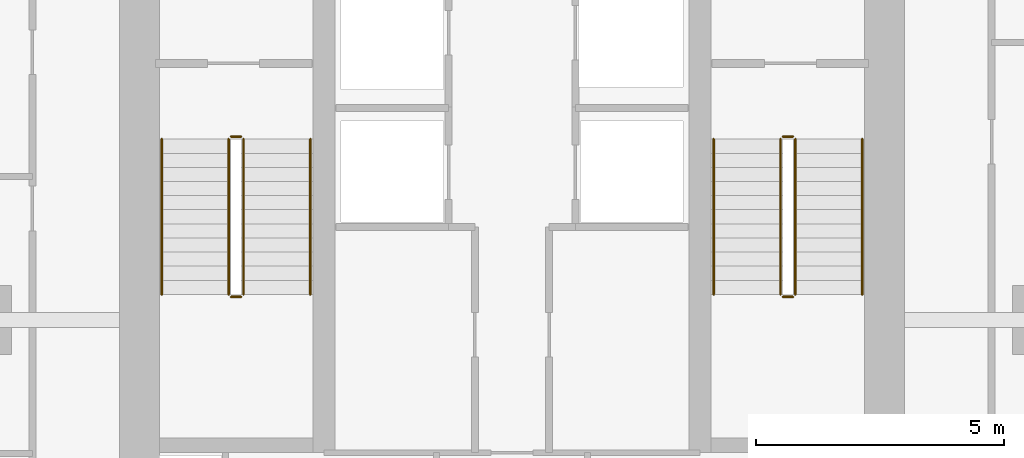
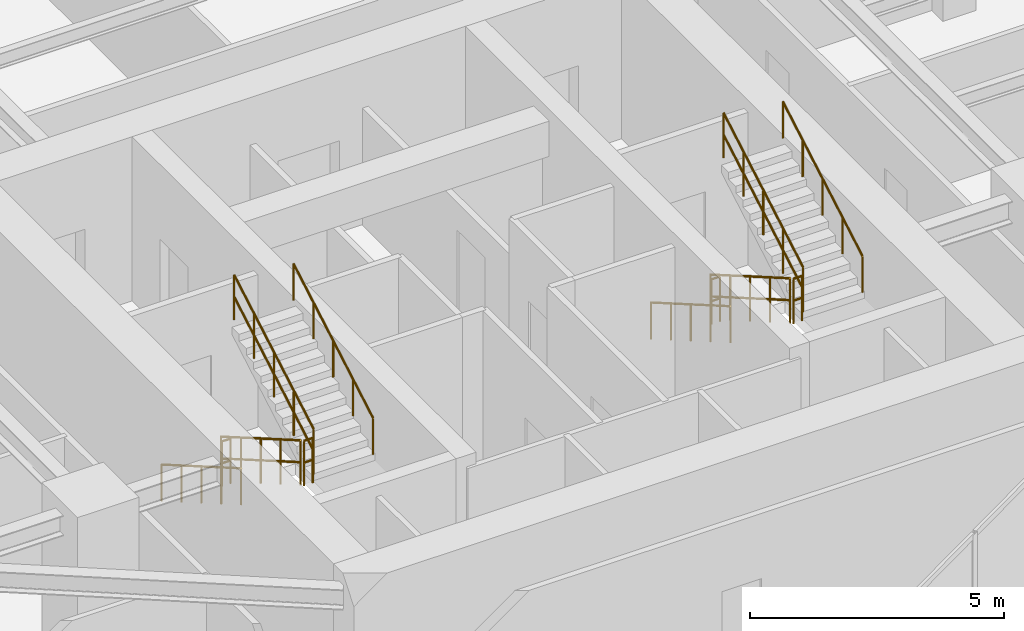
# One storey, part 19 of 20: 12 railings.
"""IFC4 building model written with IfcOpenShell, lengths in metres."""

import ifcopenshell
import ifcopenshell.guid

model = None  # the IFC model being written
_history = None  # IfcOwnerHistory: only IFC2X3 demands one
_inside = {}  # id of a spatial element -> (the spatial element, [elements in it])
_under = {}  # id of a project, library or spatial element -> (it, [spatial elements below it])
_declared = {}  # id of a project -> (the project, [libraries it declares])
_typed = {}  # id of a type object -> (the type object, [elements of that type])
_made_of = {}  # id of a material, layer set ... -> (it, [elements and type objects made of it])


def new_model(schema):
    """Start an empty IFC model of exactly this schema.

    Asked for "IFC4X3", IfcOpenShell would pick the latest addendum, in which some entities
    have other attributes; the version numbers below select the first issue.
    IFC2X3 requires an IfcOwnerHistory on every rooted entity: one is made here for all.
    """
    global model, _history
    if schema == "IFC4X3":
        model = ifcopenshell.file(schema_version=(4, 3, 0, 0))
    else:
        model = ifcopenshell.file(schema=schema)
    _inside.clear()
    _under.clear()
    _declared.clear()
    _typed.clear()
    _made_of.clear()
    _history = None
    if model.schema == "IFC2X3":
        org = make("IfcOrganization", Name="unknown")
        user = make(
            "IfcPersonAndOrganization",
            ThePerson=make("IfcPerson", FamilyName="unknown"),
            TheOrganization=org,
        )
        app = make(
            "IfcApplication",
            ApplicationDeveloper=org,
            Version="unknown",
            ApplicationFullName="unknown",
            ApplicationIdentifier="unknown",
        )
        _history = make(
            "IfcOwnerHistory",
            OwningUser=user,
            OwningApplication=app,
            ChangeAction="ADDED",
            CreationDate=0,
        )
    return model


def make(cls, **values):
    """One entity of the class cls with the attributes given. An attribute that is None is left unset."""
    return model.create_entity(
        cls, **{name: value for name, value in values.items() if value is not None}
    )


def rooted(cls, **values):
    """An entity with a GlobalId (a new one), such as an element, a storey or a relation."""
    return make(cls, GlobalId=ifcopenshell.guid.new(), OwnerHistory=_history, **values)


def si_unit(unit_type, name, prefix=None):
    """IfcSIUnit, for example si_unit("LENGTHUNIT", "METRE", prefix="MILLI")."""
    return make("IfcSIUnit", UnitType=unit_type, Prefix=prefix, Name=name)


def assignment(units):
    """IfcUnitAssignment: the units of a project."""
    return None if units is None else make("IfcUnitAssignment", Units=units)


def point(xyz):
    """IfcCartesianPoint."""
    return None if xyz is None else make("IfcCartesianPoint", Coordinates=xyz)


def direction(xyz):
    """IfcDirection."""
    return None if xyz is None else make("IfcDirection", DirectionRatios=xyz)


def frame(location, z_axis=None, x_axis=None):
    """IfcAxis2Placement3D, a coordinate frame: its origin and axes. An axis left out is left unset."""
    return make(
        "IfcAxis2Placement3D",
        Location=point(location),
        Axis=direction(z_axis),
        RefDirection=direction(x_axis),
    )


def frame_2d(location, x_axis=None):
    """IfcAxis2Placement2D, a coordinate frame in the plane: its origin and x axis."""
    return make(
        "IfcAxis2Placement2D", Location=point(location), RefDirection=direction(x_axis)
    )


def origin():
    """The frame at (0, 0, 0) with its axes left unset."""
    return frame((0.0, 0.0, 0.0))


def origin_2d():
    """The frame at (0, 0) in the plane with its x axis left unset."""
    return frame_2d((0.0, 0.0))


def place(relative_to, where):
    """IfcLocalPlacement: puts the frame where relative to a parent placement (None: the world)."""
    return make(
        "IfcLocalPlacement", PlacementRelTo=relative_to, RelativePlacement=where
    )


def context(
    kind, dimensions, precision=None, world=None, true_north=None, identifier=None
):
    """IfcGeometricRepresentationContext, for example the 3D "Model" context."""
    return make(
        "IfcGeometricRepresentationContext",
        ContextIdentifier=identifier,
        ContextType=kind,
        CoordinateSpaceDimension=dimensions,
        Precision=precision,
        WorldCoordinateSystem=world,
        TrueNorth=true_north,
    )


def subcontext(parent, identifier, kind, view, scale=None):
    """IfcGeometricRepresentationSubContext, for example "Body" below "Model"."""
    return make(
        "IfcGeometricRepresentationSubContext",
        ContextIdentifier=identifier,
        ContextType=kind,
        ParentContext=parent,
        TargetScale=scale,
        TargetView=view,
    )


def project(units=None, contexts=None):
    """IfcProject with its units and contexts."""
    return rooted(
        "IfcProject",
        Name="project",
        RepresentationContexts=contexts,
        UnitsInContext=assignment(units),
    )


def spatial(cls, under=None, at=None, **own):
    """A site, building, storey or space (cls), placed at a placement, below another one or the project."""
    s = rooted(cls, ObjectPlacement=at, **own)
    if under is not None:
        _under.setdefault(under.id(), (under, []))[1].append(s)
    return s


def profile(cls, at=None, kind="AREA", **sizes):
    """A parametric profile (cls). Its sizes go by their IFC names, for example OverallWidth=200.0."""
    return make(cls, ProfileType=kind, Position=at, **sizes)


def circle(**sizes):
    """IfcCircleProfileDef."""
    return profile("IfcCircleProfileDef", **sizes)


def extrude(swept, where, along, depth):
    """IfcExtrudedAreaSolid: the profile swept, set in the frame where, extruded along a direction by depth."""
    return make(
        "IfcExtrudedAreaSolid",
        SweptArea=swept,
        Position=where,
        ExtrudedDirection=direction(along),
        Depth=depth,
    )


def shape(context_of_items, identifier, shape_type, items):
    """IfcShapeRepresentation: the items that make up one representation, for example the "Body"."""
    return make(
        "IfcShapeRepresentation",
        ContextOfItems=context_of_items,
        RepresentationIdentifier=identifier,
        RepresentationType=shape_type,
        Items=items,
    )


def material(Name=None, Category=None):
    """IfcMaterial."""
    return make("IfcMaterial", Name=Name, Category=Category)


def layer(
    of_material, thickness, ventilated=None, Name=None, Category=None, Priority=None
):
    """IfcMaterialLayer: one layer of a wall or slab, of a material (None: an air gap)."""
    return make(
        "IfcMaterialLayer",
        Material=of_material,
        LayerThickness=thickness,
        IsVentilated=ventilated,
        Name=Name,
        Category=Category,
        Priority=Priority,
    )


def layer_set(layers, Name=None):
    """IfcMaterialLayerSet."""
    return make("IfcMaterialLayerSet", MaterialLayers=layers, LayerSetName=Name)


def made_of(thing, what):
    """Note that an element or type object is made of a material, layer set ...; save() writes the relation."""
    if what is not None:
        _made_of.setdefault(what.id(), (what, []))[1].append(thing)
    return thing


def type_object(cls, material=None, **own):
    """A type object (cls), such as IfcWallType, which elements share."""
    return made_of(rooted(cls, **own), material)


def element(
    cls,
    number,
    at=None,
    inside=None,
    cuts=None,
    type_object=None,
    material=None,
    context=None,
    identifier="Body",
    shape_type=None,
    held_by="IfcProductDefinitionShape",
    body=None,
    shapes=None,
    **own,
):
    """One element of the class cls, such as IfcWall. Its Tag is "e" and its number.

    at: its placement. inside: the storey or other place that contains it. cuts: it is an
    opening in that element (IfcRelVoidsElement). A single representation is given by context,
    identifier, shape_type and body (its items); several are given by shapes. held_by: the class
    of the entity that holds the representations. save() writes the other relations.
    """
    e = rooted(cls, Tag="e%d" % number, ObjectPlacement=at, **own)
    if body is not None:
        shapes = [shape(context, identifier, shape_type, body)]
    if shapes is not None:
        e.Representation = make(held_by, Representations=shapes)
    if inside is not None:
        _inside.setdefault(inside.id(), (inside, []))[1].append(e)
    if cuts is not None:
        rooted(
            "IfcRelVoidsElement", RelatingBuildingElement=cuts, RelatedOpeningElement=e
        )
    if type_object is not None:
        _typed.setdefault(type_object.id(), (type_object, []))[1].append(e)
    return made_of(e, material)


def aggregate(whole, parts):
    """IfcRelAggregates: a whole, such as a stair, and the parts it consists of."""
    return rooted("IfcRelAggregates", RelatingObject=whole, RelatedObjects=parts)


def save(model, path):
    """Write the relations noted so far, then the file.

    IfcRelAggregates (storeys below a building ...), IfcRelContainedInSpatialStructure (elements
    in a storey), IfcRelDefinesByType, IfcRelAssociatesMaterial and IfcRelDeclares: one each for
    every whole, place, type object, material and project.
    """
    for whole, parts in _under.values():
        aggregate(whole, parts)
    for where, things in _inside.values():
        rooted(
            "IfcRelContainedInSpatialStructure",
            RelatedElements=things,
            RelatingStructure=where,
        )
    for kind, things in _typed.values():
        rooted("IfcRelDefinesByType", RelatedObjects=things, RelatingType=kind)
    for what, things in _made_of.values():
        rooted("IfcRelAssociatesMaterial", RelatedObjects=things, RelatingMaterial=what)
    for by, libraries in _declared.values():
        rooted("IfcRelDeclares", RelatingContext=by, RelatedDefinitions=libraries)
    model.write(path)


model = new_model("IFC4")

# Units and contexts
model_context = context("Model", 3, precision=1e-05, world=origin(), true_north=direction((0.0, 1.0)))
body_context = subcontext(model_context, "Body", "Model", "MODEL_VIEW")
ifc_project = project(units=[si_unit("LENGTHUNIT", "METRE"), si_unit("AREAUNIT", "SQUARE_METRE"), si_unit("VOLUMEUNIT", "CUBIC_METRE"), si_unit("PLANEANGLEUNIT", "RADIAN"), si_unit("MASSUNIT", "GRAM", prefix="KILO")], contexts=[model_context])

# Site, building, storey
site_placement = place(None, origin())
site = spatial("IfcSite", under=ifc_project, at=site_placement, CompositionType="ELEMENT")
building_placement = place(site_placement, origin())
building = spatial("IfcBuilding", under=site, at=building_placement, Name="Krantzveldt Concourse Tower", CompositionType="ELEMENT")
storey_placement = place(building_placement, frame((0.0, 0.0, 299.0)))
storey = spatial("IfcBuildingStorey", under=building, at=storey_placement, Name="L73", CompositionType="ELEMENT", Elevation=299.0)

# Railings
ifc_material = material(Name="Stainless steel 316L", Category="steel")
ifc_layer_1 = layer(ifc_material, 0.06005859375, Name="Stainless steel 316L", Category="steel")
ifc_layer_set_1 = layer_set([ifc_layer_1], Name="Stainless steel 316L (RL-GUARD-1120)")
railing_type_1 = type_object("IfcRailingType", Name="RL-GUARD-1120", PredefinedType="GUARDRAIL", material=ifc_layer_set_1)
railing_1_placement = place(storey_placement, frame((30.280029296875, 19.550048828125, 0.16455078125)))
element("IfcRailing", 1, at=railing_1_placement, inside=storey, type_object=railing_type_1, Name="L73 ST-1 stair guard 1", PredefinedType="GUARDRAIL", context=body_context, shape_type="SweptSolid", body=[
    extrude(circle(Radius=0.02392578125, at=origin_2d()), frame((0.0, 0.0, 1.076171875), z_axis=(0.0, -0.865959834175, 0.500113552702), x_axis=(1.0, 0.0, 0.0)), (0.0, 0.0, 1.0), 3.620361328125),
    extrude(circle(Radius=0.02392578125, at=origin_2d()), frame((0.0, 0.0, 0.550048828125), z_axis=(0.0, -0.865959834175, 0.500113552702), x_axis=(1.0, 0.0, 0.0)), (0.0, 0.0, 1.0), 3.620361328125),
    extrude(circle(Radius=0.02099609375, at=origin_2d()), origin(), (0.0, 0.0, 1.0), 1.052001953125),
    extrude(circle(Radius=0.02099609375, at=origin_2d()), frame((0.0, -0.78369140625, 0.45263671875)), (0.0, 0.0, 1.0), 1.052001953125),
    extrude(circle(Radius=0.02099609375, at=origin_2d()), frame((0.0, -1.5673828125, 0.9052734375)), (0.0, 0.0, 1.0), 1.052001953125),
    extrude(circle(Radius=0.02099609375, at=origin_2d()), frame((0.0, -2.351318359375, 1.35791015625)), (0.0, 0.0, 1.0), 1.052001953125),
    extrude(circle(Radius=0.02099609375, at=origin_2d()), frame((0.0, -3.135009765625, 1.810546875)), (0.0, 0.0, 1.0), 1.052001953125),
])
railing_2_placement = place(storey_placement, frame((30.330078125, 16.364990234375, 1.97509765625)))
element("IfcRailing", 2, at=railing_2_placement, inside=storey, type_object=railing_type_1, Name="L73 ST-1 stair guard 2", PredefinedType="GUARDRAIL", context=body_context, shape_type="SweptSolid", body=[
    extrude(circle(Radius=0.02392578125, at=origin_2d()), frame((0.0, 0.0, 1.076171875), z_axis=(1.0, 0.0, 0.0), x_axis=(0.0, 1.0, 0.0)), (0.0, 0.0, 1.0), 0.199951171875),
    extrude(circle(Radius=0.02392578125, at=origin_2d()), frame((0.0, 0.0, 0.550048828125), z_axis=(1.0, 0.0, 0.0), x_axis=(0.0, 1.0, 0.0)), (0.0, 0.0, 1.0), 0.199951171875),
    extrude(circle(Radius=0.02099609375, at=origin_2d()), origin(), (0.0, 0.0, 1.0), 1.052001953125),
    extrude(circle(Radius=0.02099609375, at=origin_2d()), frame((0.199951171875, 0.0, 0.0)), (0.0, 0.0, 1.0), 1.052001953125),
])
railing_3_placement = place(storey_placement, frame((30.580078125, 16.4150390625, 2.1396484375)))
element("IfcRailing", 3, at=railing_3_placement, inside=storey, type_object=railing_type_1, Name="L73 ST-1 stair guard 3", PredefinedType="GUARDRAIL", context=body_context, shape_type="SweptSolid", body=[
    extrude(circle(Radius=0.02392578125, at=origin_2d()), frame((0.0, 0.0, 1.076171875), z_axis=(0.0, 0.865989039225, 0.500062979975), x_axis=(-1.0, 0.0, 0.0)), (0.0, 0.0, 1.0), 3.6201171875),
    extrude(circle(Radius=0.02392578125, at=origin_2d()), frame((0.0, 0.0, 0.550048828125), z_axis=(0.0, 0.865989039225, 0.500062979975), x_axis=(-1.0, 0.0, 0.0)), (0.0, 0.0, 1.0), 3.6201171875),
    extrude(circle(Radius=0.02099609375, at=origin_2d()), origin(), (0.0, 0.0, 1.0), 1.052001953125),
    extrude(circle(Radius=0.02099609375, at=origin_2d()), frame((0.0, 0.78369140625, 0.45263671875)), (0.0, 0.0, 1.0), 1.052001953125),
    extrude(circle(Radius=0.02099609375, at=origin_2d()), frame((0.0, 1.5673828125, 0.9052734375)), (0.0, 0.0, 1.0), 1.052001953125),
    extrude(circle(Radius=0.02099609375, at=origin_2d()), frame((0.0, 2.351318359375, 1.357666015625)), (0.0, 0.0, 1.0), 1.052001953125),
    extrude(circle(Radius=0.02099609375, at=origin_2d()), frame((0.0, 3.135009765625, 1.810302734375)), (0.0, 0.0, 1.0), 1.052001953125),
])
railing_4_placement = place(storey_placement, frame((30.330078125, 19.60009765625, 0.0)))
element("IfcRailing", 4, at=railing_4_placement, inside=storey, type_object=railing_type_1, Name="L73 ST-1 stair guard 4", PredefinedType="GUARDRAIL", context=body_context, shape_type="SweptSolid", body=[
    extrude(circle(Radius=0.02392578125, at=origin_2d()), frame((0.0, 0.0, 1.076171875), z_axis=(1.0, 0.0, 0.0), x_axis=(0.0, 1.0, 0.0)), (0.0, 0.0, 1.0), 0.199951171875),
    extrude(circle(Radius=0.02392578125, at=origin_2d()), frame((0.0, 0.0, 0.550048828125), z_axis=(1.0, 0.0, 0.0), x_axis=(0.0, 1.0, 0.0)), (0.0, 0.0, 1.0), 0.199951171875),
    extrude(circle(Radius=0.02099609375, at=origin_2d()), origin(), (0.0, 0.0, 1.0), 1.052001953125),
    extrude(circle(Radius=0.02099609375, at=origin_2d()), frame((0.199951171875, 0.0, 0.0)), (0.0, 0.0, 1.0), 1.052001953125),
])
railing_5_placement = place(storey_placement, frame((41.419921875, 19.550048828125, 0.16455078125)))
element("IfcRailing", 5, at=railing_5_placement, inside=storey, type_object=railing_type_1, Name="L73 ST-2 stair guard 1", PredefinedType="GUARDRAIL", context=body_context, shape_type="SweptSolid", body=[
    extrude(circle(Radius=0.02392578125, at=origin_2d()), frame((0.0, 0.0, 1.076171875), z_axis=(0.0, -0.865959834175, 0.500113552702), x_axis=(1.0, 0.0, 0.0)), (0.0, 0.0, 1.0), 3.620361328125),
    extrude(circle(Radius=0.02392578125, at=origin_2d()), frame((0.0, 0.0, 0.550048828125), z_axis=(0.0, -0.865959834175, 0.500113552702), x_axis=(1.0, 0.0, 0.0)), (0.0, 0.0, 1.0), 3.620361328125),
    extrude(circle(Radius=0.02099609375, at=origin_2d()), origin(), (0.0, 0.0, 1.0), 1.052001953125),
    extrude(circle(Radius=0.02099609375, at=origin_2d()), frame((0.0, -0.78369140625, 0.45263671875)), (0.0, 0.0, 1.0), 1.052001953125),
    extrude(circle(Radius=0.02099609375, at=origin_2d()), frame((0.0, -1.5673828125, 0.9052734375)), (0.0, 0.0, 1.0), 1.052001953125),
    extrude(circle(Radius=0.02099609375, at=origin_2d()), frame((0.0, -2.351318359375, 1.35791015625)), (0.0, 0.0, 1.0), 1.052001953125),
    extrude(circle(Radius=0.02099609375, at=origin_2d()), frame((0.0, -3.135009765625, 1.810546875)), (0.0, 0.0, 1.0), 1.052001953125),
])
railing_6_placement = place(storey_placement, frame((41.469970703125, 16.364990234375, 1.97509765625)))
element("IfcRailing", 6, at=railing_6_placement, inside=storey, type_object=railing_type_1, Name="L73 ST-2 stair guard 2", PredefinedType="GUARDRAIL", context=body_context, shape_type="SweptSolid", body=[
    extrude(circle(Radius=0.02392578125, at=origin_2d()), frame((0.0, 0.0, 1.076171875), z_axis=(1.0, 0.0, 0.0), x_axis=(0.0, 1.0, 0.0)), (0.0, 0.0, 1.0), 0.199951171875),
    extrude(circle(Radius=0.02392578125, at=origin_2d()), frame((0.0, 0.0, 0.550048828125), z_axis=(1.0, 0.0, 0.0), x_axis=(0.0, 1.0, 0.0)), (0.0, 0.0, 1.0), 0.199951171875),
    extrude(circle(Radius=0.02099609375, at=origin_2d()), origin(), (0.0, 0.0, 1.0), 1.052001953125),
    extrude(circle(Radius=0.02099609375, at=origin_2d()), frame((0.199951171875, 0.0, 0.0)), (0.0, 0.0, 1.0), 1.052001953125),
])
railing_7_placement = place(storey_placement, frame((41.719970703125, 16.4150390625, 2.1396484375)))
element("IfcRailing", 7, at=railing_7_placement, inside=storey, type_object=railing_type_1, Name="L73 ST-2 stair guard 3", PredefinedType="GUARDRAIL", context=body_context, shape_type="SweptSolid", body=[
    extrude(circle(Radius=0.02392578125, at=origin_2d()), frame((0.0, 0.0, 1.076171875), z_axis=(0.0, 0.865989039225, 0.500062979975), x_axis=(-1.0, 0.0, 0.0)), (0.0, 0.0, 1.0), 3.6201171875),
    extrude(circle(Radius=0.02392578125, at=origin_2d()), frame((0.0, 0.0, 0.550048828125), z_axis=(0.0, 0.865989039225, 0.500062979975), x_axis=(-1.0, 0.0, 0.0)), (0.0, 0.0, 1.0), 3.6201171875),
    extrude(circle(Radius=0.02099609375, at=origin_2d()), origin(), (0.0, 0.0, 1.0), 1.052001953125),
    extrude(circle(Radius=0.02099609375, at=origin_2d()), frame((0.0, 0.78369140625, 0.45263671875)), (0.0, 0.0, 1.0), 1.052001953125),
    extrude(circle(Radius=0.02099609375, at=origin_2d()), frame((0.0, 1.5673828125, 0.9052734375)), (0.0, 0.0, 1.0), 1.052001953125),
    extrude(circle(Radius=0.02099609375, at=origin_2d()), frame((0.0, 2.351318359375, 1.357666015625)), (0.0, 0.0, 1.0), 1.052001953125),
    extrude(circle(Radius=0.02099609375, at=origin_2d()), frame((0.0, 3.135009765625, 1.810302734375)), (0.0, 0.0, 1.0), 1.052001953125),
])
railing_8_placement = place(storey_placement, frame((41.469970703125, 19.60009765625, 0.0)))
element("IfcRailing", 8, at=railing_8_placement, inside=storey, type_object=railing_type_1, Name="L73 ST-2 stair guard 4", PredefinedType="GUARDRAIL", context=body_context, shape_type="SweptSolid", body=[
    extrude(circle(Radius=0.02392578125, at=origin_2d()), frame((0.0, 0.0, 1.076171875), z_axis=(1.0, 0.0, 0.0), x_axis=(0.0, 1.0, 0.0)), (0.0, 0.0, 1.0), 0.199951171875),
    extrude(circle(Radius=0.02392578125, at=origin_2d()), frame((0.0, 0.0, 0.550048828125), z_axis=(1.0, 0.0, 0.0), x_axis=(0.0, 1.0, 0.0)), (0.0, 0.0, 1.0), 0.199951171875),
    extrude(circle(Radius=0.02099609375, at=origin_2d()), origin(), (0.0, 0.0, 1.0), 1.052001953125),
    extrude(circle(Radius=0.02099609375, at=origin_2d()), frame((0.199951171875, 0.0, 0.0)), (0.0, 0.0, 1.0), 1.052001953125),
])
ifc_layer_2 = layer(ifc_material, 0.050048828125, Name="Stainless steel 316L", Category="steel")
ifc_layer_set_2 = layer_set([ifc_layer_2], Name="Stainless steel 316L (RL-HANDRAIL-920)")
railing_type_2 = type_object("IfcRailingType", Name="RL-HANDRAIL-920", PredefinedType="HANDRAIL", material=ifc_layer_set_2)
railing_9_placement = place(storey_placement, frame((28.929931640625, 19.550048828125, 0.16455078125)))
element("IfcRailing", 9, at=railing_9_placement, inside=storey, type_object=railing_type_2, Name="L73 ST-1 stair handrail 1", PredefinedType="HANDRAIL", context=body_context, shape_type="SweptSolid", body=[
    extrude(circle(Radius=0.02392578125, at=origin_2d()), frame((0.0, 0.0, 0.8759765625), z_axis=(0.0, -0.865959834175, 0.500113552702), x_axis=(1.0, 0.0, 0.0)), (0.0, 0.0, 1.0), 3.620361328125),
    extrude(circle(Radius=0.02099609375, at=origin_2d()), origin(), (0.0, 0.0, 1.0), 0.851806640625),
    extrude(circle(Radius=0.02099609375, at=origin_2d()), frame((0.0, -0.78369140625, 0.45263671875)), (0.0, 0.0, 1.0), 0.851806640625),
    extrude(circle(Radius=0.02099609375, at=origin_2d()), frame((0.0, -1.5673828125, 0.9052734375)), (0.0, 0.0, 1.0), 0.851806640625),
    extrude(circle(Radius=0.02099609375, at=origin_2d()), frame((0.0, -2.351318359375, 1.35791015625)), (0.0, 0.0, 1.0), 0.851806640625),
    extrude(circle(Radius=0.02099609375, at=origin_2d()), frame((0.0, -3.135009765625, 1.810546875)), (0.0, 0.0, 1.0), 0.851806640625),
])
railing_10_placement = place(storey_placement, frame((31.929931640625, 16.4150390625, 2.1396484375)))
element("IfcRailing", 10, at=railing_10_placement, inside=storey, type_object=railing_type_2, Name="L73 ST-1 stair handrail 2", PredefinedType="HANDRAIL", context=body_context, shape_type="SweptSolid", body=[
    extrude(circle(Radius=0.02392578125, at=origin_2d()), frame((0.0, 0.0, 0.8759765625), z_axis=(0.0, 0.865989039225, 0.500062979975), x_axis=(-1.0, 0.0, 0.0)), (0.0, 0.0, 1.0), 3.6201171875),
    extrude(circle(Radius=0.02099609375, at=origin_2d()), origin(), (0.0, 0.0, 1.0), 0.851806640625),
    extrude(circle(Radius=0.02099609375, at=origin_2d()), frame((0.0, 0.78369140625, 0.45263671875)), (0.0, 0.0, 1.0), 0.851806640625),
    extrude(circle(Radius=0.02099609375, at=origin_2d()), frame((0.0, 1.5673828125, 0.9052734375)), (0.0, 0.0, 1.0), 0.851806640625),
    extrude(circle(Radius=0.02099609375, at=origin_2d()), frame((0.0, 2.351318359375, 1.357666015625)), (0.0, 0.0, 1.0), 0.851806640625),
    extrude(circle(Radius=0.02099609375, at=origin_2d()), frame((0.0, 3.135009765625, 1.810302734375)), (0.0, 0.0, 1.0), 0.851806640625),
])
railing_11_placement = place(storey_placement, frame((40.070068359375, 19.550048828125, 0.16455078125)))
element("IfcRailing", 11, at=railing_11_placement, inside=storey, type_object=railing_type_2, Name="L73 ST-2 stair handrail 1", PredefinedType="HANDRAIL", context=body_context, shape_type="SweptSolid", body=[
    extrude(circle(Radius=0.02392578125, at=origin_2d()), frame((0.0, 0.0, 0.8759765625), z_axis=(0.0, -0.865959834175, 0.500113552702), x_axis=(1.0, 0.0, 0.0)), (0.0, 0.0, 1.0), 3.620361328125),
    extrude(circle(Radius=0.02099609375, at=origin_2d()), origin(), (0.0, 0.0, 1.0), 0.851806640625),
    extrude(circle(Radius=0.02099609375, at=origin_2d()), frame((0.0, -0.78369140625, 0.45263671875)), (0.0, 0.0, 1.0), 0.851806640625),
    extrude(circle(Radius=0.02099609375, at=origin_2d()), frame((0.0, -1.5673828125, 0.9052734375)), (0.0, 0.0, 1.0), 0.851806640625),
    extrude(circle(Radius=0.02099609375, at=origin_2d()), frame((0.0, -2.351318359375, 1.35791015625)), (0.0, 0.0, 1.0), 0.851806640625),
    extrude(circle(Radius=0.02099609375, at=origin_2d()), frame((0.0, -3.135009765625, 1.810546875)), (0.0, 0.0, 1.0), 0.851806640625),
])
railing_12_placement = place(storey_placement, frame((43.070068359375, 16.4150390625, 2.1396484375)))
element("IfcRailing", 12, at=railing_12_placement, inside=storey, type_object=railing_type_2, Name="L73 ST-2 stair handrail 2", PredefinedType="HANDRAIL", context=body_context, shape_type="SweptSolid", body=[
    extrude(circle(Radius=0.02392578125, at=origin_2d()), frame((0.0, 0.0, 0.8759765625), z_axis=(0.0, 0.865989039225, 0.500062979975), x_axis=(-1.0, 0.0, 0.0)), (0.0, 0.0, 1.0), 3.6201171875),
    extrude(circle(Radius=0.02099609375, at=origin_2d()), origin(), (0.0, 0.0, 1.0), 0.851806640625),
    extrude(circle(Radius=0.02099609375, at=origin_2d()), frame((0.0, 0.78369140625, 0.45263671875)), (0.0, 0.0, 1.0), 0.851806640625),
    extrude(circle(Radius=0.02099609375, at=origin_2d()), frame((0.0, 1.5673828125, 0.9052734375)), (0.0, 0.0, 1.0), 0.851806640625),
    extrude(circle(Radius=0.02099609375, at=origin_2d()), frame((0.0, 2.351318359375, 1.357666015625)), (0.0, 0.0, 1.0), 0.851806640625),
    extrude(circle(Radius=0.02099609375, at=origin_2d()), frame((0.0, 3.135009765625, 1.810302734375)), (0.0, 0.0, 1.0), 0.851806640625),
])

save(model, "model.ifc")
